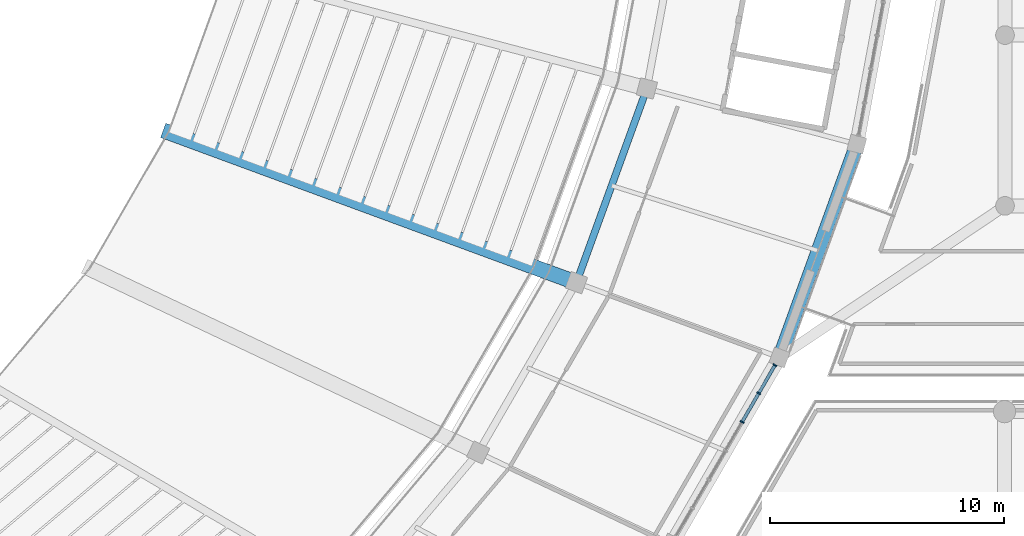
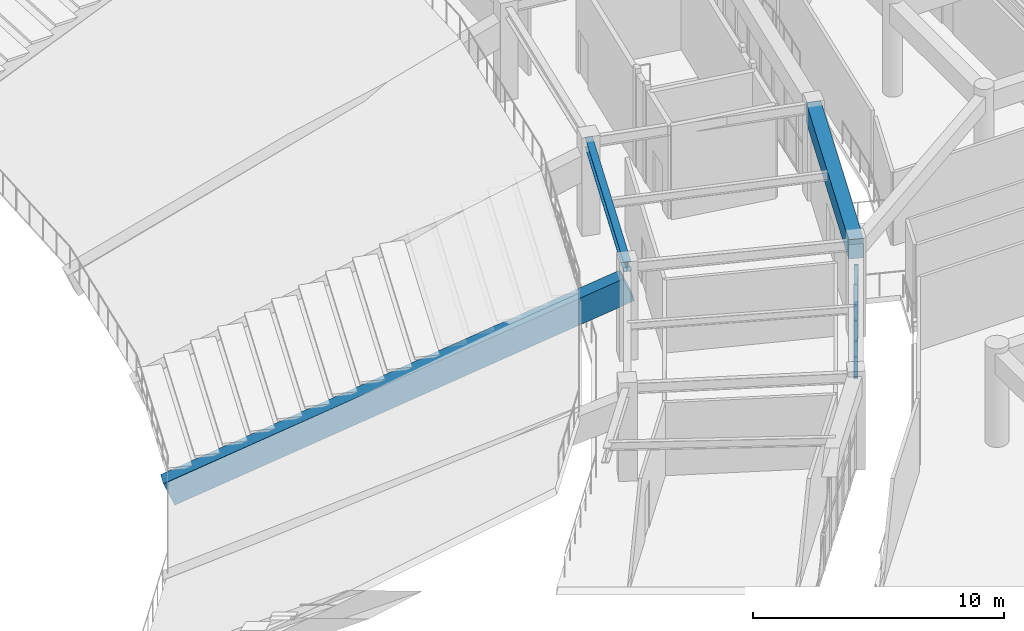
# One storey, part 42 of 137: 9 members, 3 beams, 1 element without a shape of its own.
"""IFC4 building model written with IfcOpenShell, lengths in metres."""

from ifc_helpers import new_model, si_unit, direction, frame, origin, origin_2d, place, context, subcontext, project, spatial, rectangle, i_section, extrude, material, layer, layer_set, material_profile, profile_set, type_object, element, aggregate, save


model = new_model("IFC4")

# Units and contexts
model_context = context("Model", 3, precision=1e-05, world=origin(), true_north=direction((0.0, 1.0)))
body_context = subcontext(model_context, "Body", "Model", "MODEL_VIEW")
ifc_project = project(units=[si_unit("LENGTHUNIT", "METRE"), si_unit("AREAUNIT", "SQUARE_METRE"), si_unit("VOLUMEUNIT", "CUBIC_METRE"), si_unit("PLANEANGLEUNIT", "RADIAN"), si_unit("MASSUNIT", "GRAM", prefix="KILO")], contexts=[model_context])

# Site, building, storey
site_placement = place(None, origin())
site = spatial("IfcSite", under=ifc_project, at=site_placement, CompositionType="ELEMENT")
building_placement = place(site_placement, origin())
building = spatial("IfcBuilding", under=site, at=building_placement, Name="Mphavela Belvedere Stadium", CompositionType="ELEMENT")
storey_placement = place(building_placement, frame((0.0, 0.0, 19.199951171875)))
storey = spatial("IfcBuildingStorey", under=building, at=storey_placement, Name="L04", CompositionType="ELEMENT", Elevation=19.199951171875)

# Beams
ifc_material_1 = material(Name="Concrete C40/50", Category="concrete")
ifc_material_profile_1 = material_profile(ifc_material_1, rectangle(XDim=0.60009765625, YDim=0.949951171875, at=origin_2d()), Name="RC 600x950")
ifc_profile_set_1 = profile_set([ifc_material_profile_1], Name="Concrete C40/50")
beam_type_1 = type_object("IfcBeamType", Name="BM-ENTABLATURE-950", PredefinedType="SPANDREL", material=ifc_profile_set_1)
beam_1_placement = place(storey_placement, frame((211.856201171875, 51.317626953125, 4.074951171875), z_axis=(0.341017570596, 0.94005692197, 0.0), x_axis=(-0.94005692197, 0.341017570596, 0.0)))
element("IfcBeam", 1, at=beam_1_placement, inside=storey, type_object=beam_type_1, Name="Circumferential girder L04 R4-46", PredefinedType="SPANDREL", context=body_context, shape_type="SweptSolid", body=[
    extrude(rectangle(XDim=0.60009765625, YDim=0.949951171875, at=origin_2d()), origin(), (0.0, 0.0, 1.0), 9.701416015625),
])
ifc_material_2 = material(Name="Precast concrete C45/55", Category="concrete")
ifc_material_profile_2 = material_profile(ifc_material_2, rectangle(XDim=0.64990234375, YDim=1.199951171875, at=origin_2d()), Name="PC 650x1200")
ifc_profile_set_2 = profile_set([ifc_material_profile_2], Name="Precast concrete C45/55")
beam_type_2 = type_object("IfcBeamType", Name="BM-RAKER-UPPER", PredefinedType="USERDEFINED", material=ifc_profile_set_2)
beam_2_placement = place(storey_placement, frame((185.72314453125, 60.9453125, -4.349853515625), z_axis=(0.866159020373, -0.319104203127, 0.384631068654), x_axis=(0.345698667521, 0.938345582008, 0.0)))
element("IfcBeam", 2, at=beam_2_placement, inside=storey, type_object=beam_type_2, Name="Upper tier precast cantilever raker beam RK-U-46", ObjectType="RAKER BEAM", PredefinedType="USERDEFINED", context=body_context, shape_type="SweptSolid", body=[
    extrude(rectangle(XDim=0.64990234375, YDim=1.199951171875, at=origin_2d()), origin(), (0.0, 0.0, 1.0), 20.149169921875),
])
ifc_material_3 = material(Name="Steel S355", Category="steel")
ifc_material_profile_3 = material_profile(ifc_material_3, i_section(OverallWidth=0.300048828125, OverallDepth=0.489990234375, WebThickness=0.011962890625, FlangeThickness=0.02294921875, at=origin_2d()), Name="HEA 500")
ifc_profile_set_3 = profile_set([ifc_material_profile_3], Name="Steel S355")
beam_type_3 = type_object("IfcBeamType", Name="BM-STEEL-HEA500", PredefinedType="BEAM", material=ifc_profile_set_3)
beam_3_placement = place(storey_placement, frame((203.175537109375, 54.515625, 4.304931640625), z_axis=(0.341030504348, 0.940052229987, 0.0), x_axis=(-0.940052229987, 0.341030504348, 0.0)))
element("IfcBeam", 3, at=beam_3_placement, inside=storey, type_object=beam_type_3, Name="Circumferential girder L04 R3-46", PredefinedType="BEAM", context=body_context, shape_type="SweptSolid", body=[
    extrude(i_section(OverallWidth=0.300048828125, OverallDepth=0.489990234375, WebThickness=0.011962890625, FlangeThickness=0.02294921875, at=origin_2d()), origin(), (0.0, 0.0, 1.0), 8.83203125),
])

# Curtain wall, members
ifc_material_4 = material(Name="Anodised bronze unitised curtain wall framing")
ifc_layer = layer(ifc_material_4, 0.18505859375)
ifc_layer_set = layer_set([ifc_layer], Name="Anodised bronze unitised curtain wall framing")
curtain_wall_type = type_object("IfcCurtainWallType", Name="CW-UNIT-02", PredefinedType="USERDEFINED", material=ifc_layer_set)
curtain_wall_placement = place(storey_placement, origin())
curtain_wall = element("IfcCurtainWall", 4, at=curtain_wall_placement, inside=storey, type_object=curtain_wall_type, Name="Belvedere colonnade curtain wall L04-45", ObjectType="UNITISED CURTAIN WALL", PredefinedType="USERDEFINED")
ifc_material_5 = material(Name="Anodised bronze extruded aluminium", Category="aluminium")
ifc_material_profile_4 = material_profile(ifc_material_5, rectangle(XDim=0.179931640625, YDim=0.06494140625, at=origin_2d()), Name="CW-MUL 180x65")
ifc_profile_set_4 = profile_set([ifc_material_profile_4], Name="Anodised bronze extruded aluminium")
member_type_1 = type_object("IfcMemberType", Name="CWM-180x65", PredefinedType="MULLION", material=ifc_profile_set_4)
member_1_placement = place(storey_placement, frame((210.26025390625, 48.5576171875, 0.0), z_axis=(0.0, 0.0, 1.0), x_axis=(-0.865704159606, 0.500555998906, 0.0)))
member_1 = element("IfcMember", 5, at=member_1_placement, type_object=member_type_1, Name="CW-02 mullion 5", PredefinedType="MULLION", context=body_context, shape_type="SweptSolid", body=[
    extrude(rectangle(XDim=0.179931640625, YDim=0.06494140625, at=origin_2d()), origin(), (0.0, 0.0, 1.0), 3.570068359375),
])
member_2_placement = place(storey_placement, frame((210.970947265625, 49.786865234375, 0.0), z_axis=(0.0, 0.0, 1.0), x_axis=(-0.865704159606, 0.500555998906, 0.0)))
member_2 = element("IfcMember", 6, at=member_2_placement, type_object=member_type_1, Name="CW-02 mullion 6", PredefinedType="MULLION", context=body_context, shape_type="SweptSolid", body=[
    extrude(rectangle(XDim=0.179931640625, YDim=0.06494140625, at=origin_2d()), origin(), (0.0, 0.0, 1.0), 3.570068359375),
])
member_3_placement = place(storey_placement, frame((211.66552734375, 50.98828125, 0.0), z_axis=(0.0, 0.0, 1.0), x_axis=(-0.865704159606, 0.500555998906, 0.0)))
member_3 = element("IfcMember", 7, at=member_3_placement, type_object=member_type_1, Name="CW-02 mullion 7", PredefinedType="MULLION", context=body_context, shape_type="SweptSolid", body=[
    extrude(rectangle(XDim=0.179931640625, YDim=0.06494140625, at=origin_2d()), origin(), (0.0, 0.0, 1.0), 3.570068359375),
])
ifc_material_6 = material(Name="Anodised bronze extruded aluminium", Category="aluminium")
ifc_material_profile_5 = material_profile(ifc_material_6, rectangle(XDim=0.139892578125, YDim=0.06005859375, at=origin_2d()), Name="CW-TRN 140x60")
ifc_profile_set_5 = profile_set([ifc_material_profile_5], Name="Anodised bronze extruded aluminium")
member_type_2 = type_object("IfcMemberType", Name="CWT-140x60", PredefinedType="USERDEFINED", material=ifc_profile_set_5)
member_4_placement = place(storey_placement, frame((210.2763671875, 48.585693359375, 0.030029296875), z_axis=(0.500652736362, 0.865648218143, 0.0), x_axis=(-0.865648218143, 0.500652736362, 0.0)))
member_4 = element("IfcMember", 8, at=member_4_placement, type_object=member_type_2, Name="CW-02 transom 5.1", ObjectType="TRANSOM", PredefinedType="USERDEFINED", context=body_context, shape_type="SweptSolid", body=[
    extrude(rectangle(XDim=0.139892578125, YDim=0.06005859375, at=origin_2d()), origin(), (0.0, 0.0, 1.0), 1.355224609375),
])
member_5_placement = place(storey_placement, frame((210.2763671875, 48.585693359375, 1.78515625), z_axis=(0.500652736362, 0.865648218143, 0.0), x_axis=(-0.865648218143, 0.500652736362, 0.0)))
member_5 = element("IfcMember", 9, at=member_5_placement, type_object=member_type_2, Name="CW-02 transom 5.2", ObjectType="TRANSOM", PredefinedType="USERDEFINED", context=body_context, shape_type="SweptSolid", body=[
    extrude(rectangle(XDim=0.139892578125, YDim=0.06005859375, at=origin_2d()), origin(), (0.0, 0.0, 1.0), 1.355224609375),
])
member_6_placement = place(storey_placement, frame((210.2763671875, 48.585693359375, 3.5400390625), z_axis=(0.500652736362, 0.865648218143, 0.0), x_axis=(-0.865648218143, 0.500652736362, 0.0)))
member_6 = element("IfcMember", 10, at=member_6_placement, type_object=member_type_2, Name="CW-02 transom 5.3", ObjectType="TRANSOM", PredefinedType="USERDEFINED", context=body_context, shape_type="SweptSolid", body=[
    extrude(rectangle(XDim=0.139892578125, YDim=0.06005859375, at=origin_2d()), origin(), (0.0, 0.0, 1.0), 1.355224609375),
])
member_7_placement = place(storey_placement, frame((210.9873046875, 49.815185546875, 0.030029296875), z_axis=(0.500585088296, 0.865687339272, 0.0), x_axis=(-0.865687339272, 0.500585088296, 0.0)))
member_7 = element("IfcMember", 11, at=member_7_placement, type_object=member_type_2, Name="CW-02 transom 6.1", ObjectType="TRANSOM", PredefinedType="USERDEFINED", context=body_context, shape_type="SweptSolid", body=[
    extrude(rectangle(XDim=0.139892578125, YDim=0.06005859375, at=origin_2d()), origin(), (0.0, 0.0, 1.0), 1.32275390625),
])
member_8_placement = place(storey_placement, frame((210.9873046875, 49.815185546875, 1.78515625), z_axis=(0.500585088296, 0.865687339272, 0.0), x_axis=(-0.865687339272, 0.500585088296, 0.0)))
member_8 = element("IfcMember", 12, at=member_8_placement, type_object=member_type_2, Name="CW-02 transom 6.2", ObjectType="TRANSOM", PredefinedType="USERDEFINED", context=body_context, shape_type="SweptSolid", body=[
    extrude(rectangle(XDim=0.139892578125, YDim=0.06005859375, at=origin_2d()), origin(), (0.0, 0.0, 1.0), 1.32275390625),
])
member_9_placement = place(storey_placement, frame((210.9873046875, 49.815185546875, 3.5400390625), z_axis=(0.500585088296, 0.865687339272, 0.0), x_axis=(-0.865687339272, 0.500585088296, 0.0)))
member_9 = element("IfcMember", 13, at=member_9_placement, type_object=member_type_2, Name="CW-02 transom 6.3", ObjectType="TRANSOM", PredefinedType="USERDEFINED", context=body_context, shape_type="SweptSolid", body=[
    extrude(rectangle(XDim=0.139892578125, YDim=0.06005859375, at=origin_2d()), origin(), (0.0, 0.0, 1.0), 1.32275390625),
])
aggregate(curtain_wall, [member_1, member_2, member_3, member_4, member_5, member_6, member_7, member_8, member_9])

save(model, "model.ifc")
